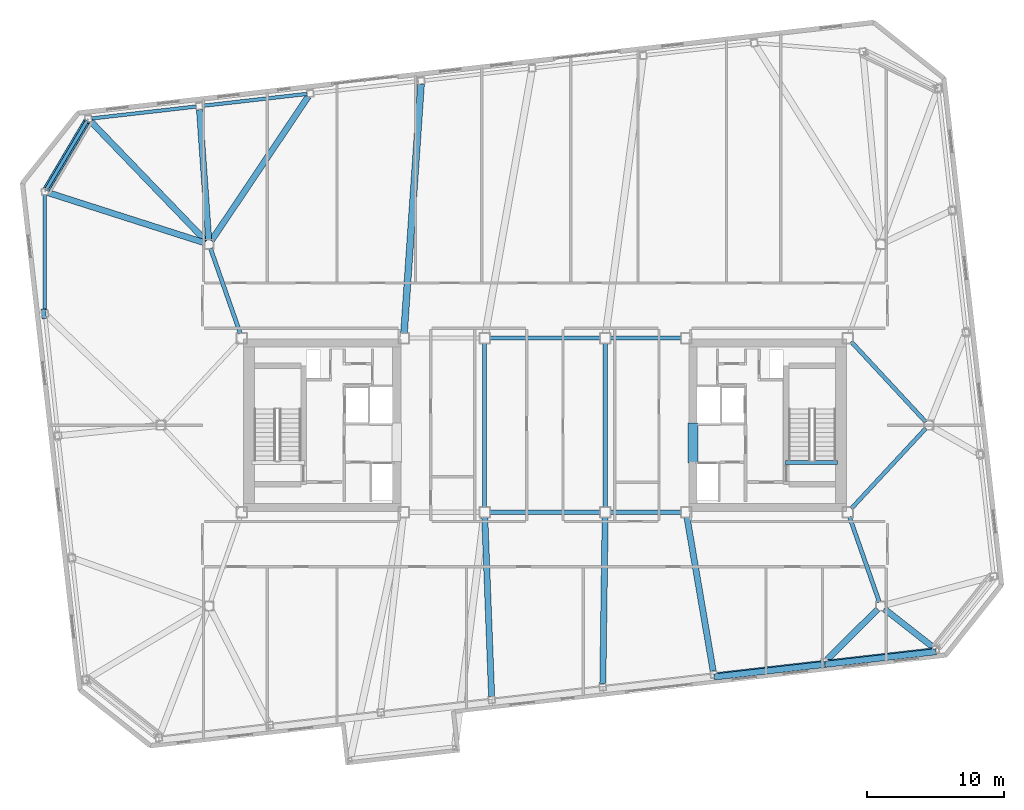
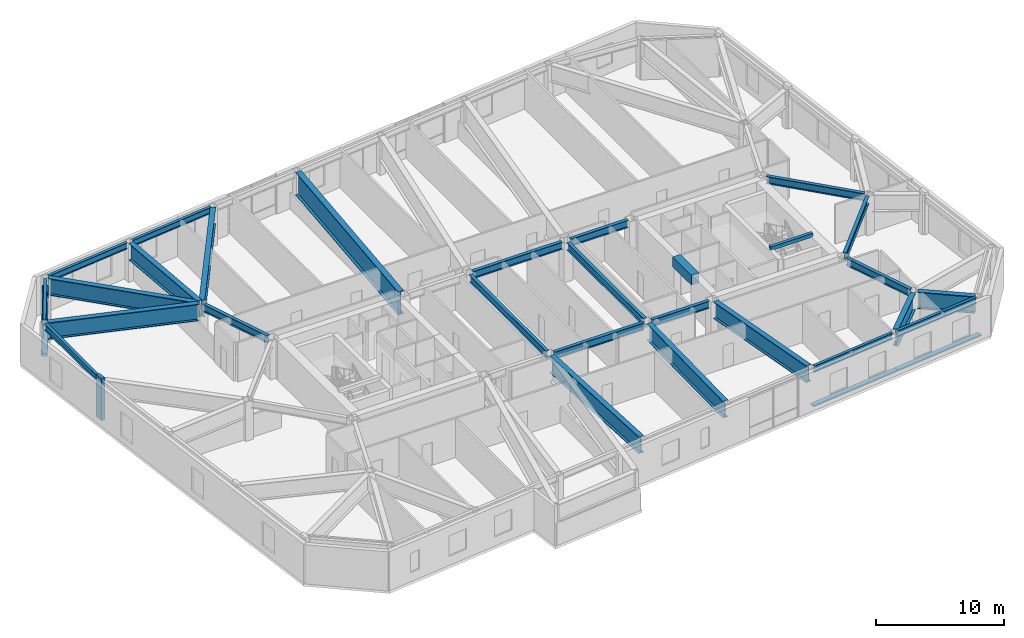
# One storey, part 6 of 18: 28 beams, 4 members.
"""IFC4 building model written with IfcOpenShell, lengths in metres."""

from ifc_helpers import new_model, si_unit, direction, frame, origin, origin_2d, place, context, subcontext, project, spatial, rectangle, hollow_circle, i_section, extrude, material, material_profile, profile_set, type_object, element, save


model = new_model("IFC4")

# Units and contexts
model_context = context("Model", 3, precision=1e-05, world=origin(), true_north=direction((0.0, 1.0)))
body_context = subcontext(model_context, "Body", "Model", "MODEL_VIEW")
ifc_project = project(units=[si_unit("LENGTHUNIT", "METRE"), si_unit("AREAUNIT", "SQUARE_METRE"), si_unit("VOLUMEUNIT", "CUBIC_METRE"), si_unit("PLANEANGLEUNIT", "RADIAN"), si_unit("MASSUNIT", "GRAM", prefix="KILO")], contexts=[model_context])

# Site, building, storey
site_placement = place(None, origin())
site = spatial("IfcSite", under=ifc_project, at=site_placement, CompositionType="ELEMENT")
building_placement = place(site_placement, origin())
building = spatial("IfcBuilding", under=site, at=building_placement, Name="Tavrogorsk Clinical Tower", CompositionType="ELEMENT")
storey_placement = place(building_placement, frame((0.0, 0.0, 222.199951171875)))
storey = spatial("IfcBuildingStorey", under=building, at=storey_placement, Name="L51", CompositionType="ELEMENT", Elevation=222.199951171875)

# Members
ifc_material_1 = material(Name="Anodised aluminium alloy AW-6063", Category="aluminium")
ifc_material_profile_1 = material_profile(ifc_material_1, rectangle(XDim=0.449951171875, YDim=0.1201171875, at=origin_2d()), Name="ALU-SUNSHADE-450x120")
ifc_profile_set_1 = profile_set([ifc_material_profile_1], Name="Anodised aluminium alloy AW-6063")
member_type_1 = type_object("IfcMemberType", Name="ChicagoSunshade_450x120", PredefinedType="USERDEFINED", material=ifc_profile_set_1)
for number, where, z_axis, x_axis, name in (
    (1, (12.336669921875, -18.369140625, 0.179931640625), (0.99356960656, 0.11322295227, 0.0), (-0.11322295227, 0.99356960656, 0.0), "L51 South Aluminium Sunshade S6"),
    (2, (20.432861328125, -17.446533203125, 0.179931640625), (0.9935729766, 0.113193375116, 0.0), (-0.113193375116, 0.9935729766, 0.0), "L51 South Aluminium Sunshade S7"),
):
    element("IfcMember", number, at=place(storey_placement, frame(where, z_axis=z_axis, x_axis=x_axis)), inside=storey, type_object=member_type_1, Name=name, ObjectType="SUNSHADE", PredefinedType="USERDEFINED", context=body_context, shape_type="SweptSolid", body=[
        extrude(rectangle(XDim=0.449951171875, YDim=0.1201171875, at=origin_2d()), origin(), (0.0, 0.0, 1.0), 8.148681640625),
    ])

# Beam
ifc_material_2 = material(Name="Concrete B80", Category="concrete")
ifc_material_profile_2 = material_profile(ifc_material_2, rectangle(XDim=0.699951171875, YDim=0.949951171875, at=origin_2d()), Name="RC-CB-700x950")
ifc_profile_set_2 = profile_set([ifc_material_profile_2], Name="Concrete B80")
beam_type_1 = type_object("IfcBeamType", Name="CouplingBeam_RC700x950", PredefinedType="LINTEL", material=ifc_profile_set_2)
beam_1_placement = place(storey_placement, frame((10.800048828125, -2.75, 3.26513671875), z_axis=(0.0, 1.0, 0.0), x_axis=(-1.0, 0.0, 0.0)))
element("IfcBeam", 3, at=beam_1_placement, inside=storey, type_object=beam_type_1, Name="L51 Core East Coupling Beam", PredefinedType="LINTEL", context=body_context, shape_type="SweptSolid", body=[
    extrude(rectangle(XDim=0.699951171875, YDim=0.949951171875, at=origin_2d()), origin(), (0.0, 0.0, 1.0), 2.89990234375),
])

# Members
ifc_material_3 = material(Name="Structural steel S440", Category="steel")
ifc_material_profile_3 = material_profile(ifc_material_3, hollow_circle(Radius=0.25390625, WallThickness=0.02001953125, at=origin_2d()), Name="CHS-508x20")
ifc_profile_set_3 = profile_set([ifc_material_profile_3], Name="Structural steel S440")
member_type_2 = type_object("IfcMemberType", Name="ExoBrace_CHS508", PredefinedType="BRACE", material=ifc_profile_set_3)
member_1_placement = place(storey_placement, frame((-36.349853515625, 17.23486328125, 0.40625), z_axis=(0.466115044739, 0.783286774864, 0.411337566228), x_axis=(-0.859354157364, 0.511380907173, 0.0)))
element("IfcMember", 4, at=member_1_placement, inside=storey, type_object=member_type_2, Name="L51 Corner Exoskeleton Brace N8-W1", PredefinedType="BRACE", context=body_context, shape_type="SweptSolid", body=[
    extrude(hollow_circle(Radius=0.25390625, WallThickness=0.02001953125, at=origin_2d()), origin(), (0.0, 0.0, 1.0), 6.266357421875),
])
ifc_material_4 = material(Name="Precast concrete B45 with limestone cladding", Category="masonry")
ifc_material_profile_4 = material_profile(ifc_material_4, rectangle(XDim=0.320068359375, YDim=0.719970703125, at=origin_2d()), Name="LIMESTONE-FIN-320x720")
ifc_profile_set_4 = profile_set([ifc_material_profile_4], Name="Precast concrete B45 with limestone cladding")
member_type_3 = type_object("IfcMemberType", Name="LimestonePleatFin_320x720", PredefinedType="USERDEFINED", material=ifc_profile_set_4)
member_2_placement = place(storey_placement, frame((-36.549560546875, 8.121337890625, 0.0), z_axis=(0.0, 0.0, 1.0), x_axis=(0.993571855677, 0.113203213768, 0.0)))
element("IfcMember", 5, at=member_2_placement, inside=storey, type_object=member_type_3, Name="L51 W Pleated Stone Fin 1", ObjectType="FIN", PredefinedType="USERDEFINED", context=body_context, shape_type="SweptSolid", body=[
    extrude(rectangle(XDim=0.320068359375, YDim=0.719970703125, at=origin_2d()), origin(), (0.0, 0.0, 1.0), 4.0),
])

# Beams
ifc_material_5 = material(Name="Structural steel S390", Category="steel")
ifc_material_profile_5 = material_profile(ifc_material_5, i_section(OverallWidth=0.300048828125, OverallDepth=0.699951171875, WebThickness=0.01708984375, FlangeThickness=0.028076171875, at=origin_2d()), Name="B-700x300x17x28")
ifc_profile_set_5 = profile_set([ifc_material_profile_5], Name="Structural steel S390")
beam_type_2 = type_object("IfcBeamType", Name="PrimaryGirder_B700", PredefinedType="USERDEFINED", material=ifc_profile_set_5)
for number, where, z_axis, x_axis, name in (
    (6, (-4.0400390625, -6.35009765625, 3.39013671875), (1.0, 0.0, 0.0), (0.0, 1.0, 0.0), "L51 Primary Spine Girder MG-03"),
    (7, (-4.0400390625, 6.35009765625, 3.39013671875), (1.0, 0.0, 0.0), (0.0, 1.0, 0.0), "L51 Primary Spine Girder MG-04"),
):
    element("IfcBeam", number, at=place(storey_placement, frame(where, z_axis=z_axis, x_axis=x_axis)), inside=storey, type_object=beam_type_2, Name=name, ObjectType="GIRDER", PredefinedType="USERDEFINED", context=body_context, shape_type="SweptSolid", body=[
        extrude(i_section(OverallWidth=0.300048828125, OverallDepth=0.699951171875, WebThickness=0.01708984375, FlangeThickness=0.028076171875, at=origin_2d()), origin(), (0.0, 0.0, 1.0), 8.080078125),
    ])
for number, where, z_axis, x_axis, name in (
    (8, (4.760009765625, -6.35009765625, 3.39013671875), (1.0, 0.0, 0.0), (0.0, 1.0, 0.0), "L51 Primary Spine Girder MG-05"),
    (9, (4.760009765625, 6.35009765625, 3.39013671875), (1.0, 0.0, 0.0), (0.0, 1.0, 0.0), "L51 Primary Spine Girder MG-06"),
):
    element("IfcBeam", number, at=place(storey_placement, frame(where, z_axis=z_axis, x_axis=x_axis)), inside=storey, type_object=beam_type_2, Name=name, ObjectType="GIRDER", PredefinedType="USERDEFINED", context=body_context, shape_type="SweptSolid", body=[
        extrude(i_section(OverallWidth=0.300048828125, OverallDepth=0.699951171875, WebThickness=0.01708984375, FlangeThickness=0.028076171875, at=origin_2d()), origin(), (0.0, 0.0, 1.0), 5.179931640625),
    ])
for number, where, z_axis, x_axis, name in (
    (10, (-4.39990234375, -5.989990234375, 3.39013671875), (0.0, 1.0, 0.0), (-1.0, 0.0, 0.0), "L51 Primary Spine Girder MG-07"),
    (11, (4.39990234375, -5.989990234375, 3.39013671875), (0.0, 1.0, 0.0), (-1.0, 0.0, 0.0), "L51 Primary Spine Girder MG-08"),
):
    element("IfcBeam", number, at=place(storey_placement, frame(where, z_axis=z_axis, x_axis=x_axis)), inside=storey, type_object=beam_type_2, Name=name, ObjectType="GIRDER", PredefinedType="USERDEFINED", context=body_context, shape_type="SweptSolid", body=[
        extrude(i_section(OverallWidth=0.300048828125, OverallDepth=0.699951171875, WebThickness=0.01708984375, FlangeThickness=0.028076171875, at=origin_2d()), origin(), (0.0, 0.0, 1.0), 11.97998046875),
    ])
for number, where, z_axis, x_axis, name in (
    (12, (24.3974609375, -12.907470703125, 3.39013671875), (-0.330654121425, 0.943752007672, 0.0), (-0.943752007672, -0.330654121425, 0.0), "L51 Spine Link Girder OPG-2"),
    (13, (-24.3974609375, 12.907470703125, 3.39013671875), (0.330654121425, -0.943752007672, 0.0), (0.943752007672, 0.330654121425, 0.0), "L51 Spine Link Girder OPG-3"),
):
    element("IfcBeam", number, at=place(storey_placement, frame(where, z_axis=z_axis, x_axis=x_axis)), inside=storey, type_object=beam_type_2, Name=name, ObjectType="GIRDER", PredefinedType="USERDEFINED", context=body_context, shape_type="SweptSolid", body=[
        extrude(i_section(OverallWidth=0.300048828125, OverallDepth=0.699951171875, WebThickness=0.01708984375, FlangeThickness=0.028076171875, at=origin_2d()), origin(), (0.0, 0.0, 1.0), 6.58837890625),
    ])
for number, where, z_axis, x_axis, name in (
    (14, (27.7890625, -0.22705078125, 3.39013671875), (-0.680684060959, -0.732577101168, 0.0), (0.732577101168, -0.680684060959, 0.0), "L51 Spine Link Girder OPG-7"),
    (15, (27.7890625, 0.22705078125, 3.39013671875), (-0.680684060959, 0.732577101168, 0.0), (-0.732577101168, -0.680684060959, 0.0), "L51 Spine Link Girder OPG-8"),
):
    element("IfcBeam", number, at=place(storey_placement, frame(where, z_axis=z_axis, x_axis=x_axis)), inside=storey, type_object=beam_type_2, Name=name, ObjectType="GIRDER", PredefinedType="USERDEFINED", context=body_context, shape_type="SweptSolid", body=[
        extrude(i_section(OverallWidth=0.300048828125, OverallDepth=0.699951171875, WebThickness=0.01708984375, FlangeThickness=0.028076171875, at=origin_2d()), origin(), (0.0, 0.0, 1.0), 7.998046875),
    ])
ifc_material_6 = material(Name="Structural steel S390", Category="steel")
ifc_material_profile_6 = material_profile(ifc_material_6, i_section(OverallWidth=0.260009765625, OverallDepth=0.60009765625, WebThickness=0.014892578125, FlangeThickness=0.02392578125, at=origin_2d()), Name="B-600x260x15x24")
ifc_profile_set_6 = profile_set([ifc_material_profile_6], Name="Structural steel S390")
beam_type_3 = type_object("IfcBeamType", Name="SpandrelBeam_B600", PredefinedType="SPANDREL", material=ifc_profile_set_6)
beam_2_placement = place(storey_placement, frame((12.57275390625, -18.1611328125, 3.43994140625), z_axis=(0.993571689921, 0.113204668576, 0.0), x_axis=(-0.113204668576, 0.993571689921, 0.0)))
element("IfcBeam", 16, at=beam_2_placement, inside=storey, type_object=beam_type_3, Name="L51 Perimeter Spandrel S6-S7", PredefinedType="SPANDREL", context=body_context, shape_type="SweptSolid", body=[
    extrude(i_section(OverallWidth=0.260009765625, OverallDepth=0.60009765625, WebThickness=0.014892578125, FlangeThickness=0.02392578125, at=origin_2d()), origin(), (0.0, 0.0, 1.0), 7.63232421875),
])
for number, where, z_axis, x_axis, name in (
    (17, (20.668701171875, -17.238525390625, 3.43994140625), (0.993572099834, 0.113201070804, 0.0), (-0.113201070804, 0.993572099834, 0.0), "L51 Perimeter Spandrel S7-S8"),
    (18, (-17.37255859375, 24.1611328125, 3.43994140625), (-0.993572099834, -0.113201070804, 0.0), (0.113201070804, -0.993572099834, 0.0), "L51 Perimeter Spandrel N6-N7"),
    (19, (-25.46875, 23.238525390625, 3.43994140625), (-0.993572099834, -0.113201070804, 0.0), (0.113201070804, -0.993572099834, 0.0), "L51 Perimeter Spandrel N7-N8"),
):
    element("IfcBeam", number, at=place(storey_placement, frame(where, z_axis=z_axis, x_axis=x_axis)), inside=storey, type_object=beam_type_3, Name=name, PredefinedType="SPANDREL", context=body_context, shape_type="SweptSolid", body=[
        extrude(i_section(OverallWidth=0.260009765625, OverallDepth=0.60009765625, WebThickness=0.014892578125, FlangeThickness=0.02392578125, at=origin_2d()), origin(), (0.0, 0.0, 1.0), 7.632568359375),
    ])
beam_3_placement = place(storey_placement, frame((-33.4404296875, 22.123779296875, 3.43994140625), z_axis=(-0.51140659222, -0.859338872293, 0.0), x_axis=(0.859338872293, -0.51140659222, 0.0)))
element("IfcBeam", 20, at=beam_3_placement, inside=storey, type_object=beam_type_3, Name="L51 Perimeter Spandrel N8-W1", PredefinedType="SPANDREL", context=body_context, shape_type="SweptSolid", body=[
    extrude(i_section(OverallWidth=0.260009765625, OverallDepth=0.60009765625, WebThickness=0.014892578125, FlangeThickness=0.02392578125, at=origin_2d()), origin(), (0.0, 0.0, 1.0), 5.666259765625),
])
beam_4_placement = place(storey_placement, frame((-36.469970703125, 16.77490234375, 3.43994140625), z_axis=(0.0, -1.0, 0.0), x_axis=(1.0, 0.0, 0.0)))
element("IfcBeam", 21, at=beam_4_placement, inside=storey, type_object=beam_type_3, Name="L51 Perimeter Spandrel W1-W2", PredefinedType="SPANDREL", context=body_context, shape_type="SweptSolid", body=[
    extrude(i_section(OverallWidth=0.260009765625, OverallDepth=0.60009765625, WebThickness=0.014892578125, FlangeThickness=0.02392578125, at=origin_2d()), origin(), (0.0, 0.0, 1.0), 8.386474609375),
])
ifc_material_7 = material(Name="Concrete B60", Category="concrete")
ifc_material_profile_7 = material_profile(ifc_material_7, rectangle(XDim=0.300048828125, YDim=0.35009765625, at=origin_2d()), Name="RC-SHB-300x350")
ifc_profile_set_7 = profile_set([ifc_material_profile_7], Name="Concrete B60")
beam_type_4 = type_object("IfcBeamType", Name="StairHeaderBeam_RC300x350", PredefinedType="BEAM", material=ifc_profile_set_7)
beam_5_placement = place(storey_placement, frame((17.550048828125, -2.719970703125, 3.824951171875), z_axis=(1.0, 0.0, 0.0), x_axis=(0.0, 1.0, 0.0)))
element("IfcBeam", 22, at=beam_5_placement, inside=storey, type_object=beam_type_4, Name="L52 ST-E Landing Header Beam", PredefinedType="BEAM", context=body_context, shape_type="SweptSolid", body=[
    extrude(rectangle(XDim=0.300048828125, YDim=0.35009765625, at=origin_2d()), origin(), (0.0, 0.0, 1.0), 3.800048828125),
])
ifc_material_8 = material(Name="Structural steel S440", Category="steel")
ifc_material_profile_8 = material_profile(ifc_material_8, i_section(OverallWidth=0.449951171875, OverallDepth=1.60009765625, WebThickness=0.031982421875, FlangeThickness=0.050048828125, at=origin_2d()), Name="DK-1600x450x32x50")
ifc_profile_set_8 = profile_set([ifc_material_profile_8], Name="Structural steel S440")
beam_type_5 = type_object("IfcBeamType", Name="TransferGirder_DK1600", PredefinedType="USERDEFINED", material=ifc_profile_set_8)
beam_6_placement = place(storey_placement, frame((-4.38623046875, -6.709716796875, 2.93994140625), z_axis=(0.038253158264, -0.999268080088, 0.0), x_axis=(0.999268080088, 0.038253158264, 0.0)))
element("IfcBeam", 23, at=beam_6_placement, inside=storey, type_object=beam_type_5, Name="L51 Radial Floor Beam S4", ObjectType="GIRDER", PredefinedType="USERDEFINED", context=body_context, shape_type="SweptSolid", body=[
    extrude(i_section(OverallWidth=0.449951171875, OverallDepth=1.60009765625, WebThickness=0.031982421875, FlangeThickness=0.050048828125, at=origin_2d()), origin(), (0.0, 0.0, 1.0), 13.0771484375),
])
beam_7_placement = place(storey_placement, frame((4.39501953125, -6.7099609375, 2.93994140625), z_axis=(-0.014110566079, -0.999900441006, 0.0), x_axis=(0.999900441006, -0.014110566079, 0.0)))
element("IfcBeam", 24, at=beam_7_placement, inside=storey, type_object=beam_type_5, Name="L51 Radial Floor Beam S5", ObjectType="GIRDER", PredefinedType="USERDEFINED", context=body_context, shape_type="SweptSolid", body=[
    extrude(i_section(OverallWidth=0.449951171875, OverallDepth=1.60009765625, WebThickness=0.031982421875, FlangeThickness=0.050048828125, at=origin_2d()), origin(), (0.0, 0.0, 1.0), 12.14599609375),
])
beam_8_placement = place(storey_placement, frame((10.3603515625, -6.704833984375, 2.93994140625), z_axis=(0.167876447446, -0.98580804338, 0.0), x_axis=(0.98580804338, 0.167876447446, 0.0)))
element("IfcBeam", 25, at=beam_8_placement, inside=storey, type_object=beam_type_5, Name="L51 Radial Floor Beam S6", ObjectType="GIRDER", PredefinedType="USERDEFINED", context=body_context, shape_type="SweptSolid", body=[
    extrude(i_section(OverallWidth=0.449951171875, OverallDepth=1.60009765625, WebThickness=0.031982421875, FlangeThickness=0.050048828125, at=origin_2d()), origin(), (0.0, 0.0, 1.0), 11.392822265625),
])
beam_9_placement = place(storey_placement, frame((24.2802734375, -13.418701171875, 2.93994140625), z_axis=(-0.708842234901, -0.705367057652, 0.0), x_axis=(0.705367057652, -0.708842234901, 0.0)))
element("IfcBeam", 26, at=beam_9_placement, inside=storey, type_object=beam_type_5, Name="L51 Radial Floor Beam S7", ObjectType="GIRDER", PredefinedType="USERDEFINED", context=body_context, shape_type="SweptSolid", body=[
    extrude(i_section(OverallWidth=0.449951171875, OverallDepth=1.60009765625, WebThickness=0.031982421875, FlangeThickness=0.050048828125, at=origin_2d()), origin(), (0.0, 0.0, 1.0), 5.19873046875),
])
beam_10_placement = place(storey_placement, frame((24.743896484375, -13.391357421875, 2.93994140625), z_axis=(0.786731711527, -0.617295078611, 0.0), x_axis=(0.617295078611, 0.786731711527, 0.0)))
element("IfcBeam", 27, at=beam_10_placement, inside=storey, type_object=beam_type_5, Name="L51 Radial Floor Beam S8", ObjectType="GIRDER", PredefinedType="USERDEFINED", context=body_context, shape_type="SweptSolid", body=[
    extrude(i_section(OverallWidth=0.449951171875, OverallDepth=1.60009765625, WebThickness=0.031982421875, FlangeThickness=0.050048828125, at=origin_2d()), origin(), (0.0, 0.0, 1.0), 4.52734375),
])
beam_11_placement = place(storey_placement, frame((-24.3271484375, 13.457275390625, 2.93994140625), z_axis=(0.557666552953, 0.830065067159, 0.0), x_axis=(-0.830065067159, 0.557666552953, 0.0)))
element("IfcBeam", 28, at=beam_11_placement, inside=storey, type_object=beam_type_5, Name="L51 Radial Floor Beam N6", ObjectType="GIRDER", PredefinedType="USERDEFINED", context=body_context, shape_type="SweptSolid", body=[
    extrude(i_section(OverallWidth=0.449951171875, OverallDepth=1.60009765625, WebThickness=0.031982421875, FlangeThickness=0.050048828125, at=origin_2d()), origin(), (0.0, 0.0, 1.0), 12.67236328125),
])
beam_12_placement = place(storey_placement, frame((-24.52197265625, 13.50927734375, 2.93994140625), z_axis=(-0.070563956086, 0.997507257167, 0.0), x_axis=(-0.997507257167, -0.070563956086, 0.0)))
element("IfcBeam", 29, at=beam_12_placement, inside=storey, type_object=beam_type_5, Name="L51 Radial Floor Beam N7", ObjectType="GIRDER", PredefinedType="USERDEFINED", context=body_context, shape_type="SweptSolid", body=[
    extrude(i_section(OverallWidth=0.449951171875, OverallDepth=1.60009765625, WebThickness=0.031982421875, FlangeThickness=0.050048828125, at=origin_2d()), origin(), (0.0, 0.0, 1.0), 9.52490234375),
])
beam_13_placement = place(storey_placement, frame((-24.715087890625, 13.42333984375, 2.93994140625), z_axis=(-0.69371826835, 0.720246460704, 0.0), x_axis=(-0.720246460704, -0.69371826835, 0.0)))
element("IfcBeam", 30, at=beam_13_placement, inside=storey, type_object=beam_type_5, Name="L51 Radial Floor Beam N8", ObjectType="GIRDER", PredefinedType="USERDEFINED", context=body_context, shape_type="SweptSolid", body=[
    extrude(i_section(OverallWidth=0.449951171875, OverallDepth=1.60009765625, WebThickness=0.031982421875, FlangeThickness=0.050048828125, at=origin_2d()), origin(), (0.0, 0.0, 1.0), 12.129638671875),
])
beam_14_placement = place(storey_placement, frame((-24.795166015625, 13.29443359375, 2.93994140625), z_axis=(-0.952367912824, 0.304951403709, 0.0), x_axis=(-0.304951403709, -0.952367912824, 0.0)))
element("IfcBeam", 31, at=beam_14_placement, inside=storey, type_object=beam_type_5, Name="L51 Radial Floor Beam W1", ObjectType="GIRDER", PredefinedType="USERDEFINED", context=body_context, shape_type="SweptSolid", body=[
    extrude(i_section(OverallWidth=0.449951171875, OverallDepth=1.60009765625, WebThickness=0.031982421875, FlangeThickness=0.050048828125, at=origin_2d()), origin(), (0.0, 0.0, 1.0), 12.000732421875),
])
ifc_material_9 = material(Name="Structural steel S440", Category="steel")
ifc_material_profile_9 = material_profile(ifc_material_9, i_section(OverallWidth=0.5, OverallDepth=2.199951171875, WebThickness=0.035888671875, FlangeThickness=0.054931640625, at=origin_2d()), Name="DK-2200x500x36x55")
ifc_profile_set_9 = profile_set([ifc_material_profile_9], Name="Structural steel S440")
beam_type_6 = type_object("IfcBeamType", Name="TransferGirder_DK2200", PredefinedType="USERDEFINED", material=ifc_profile_set_9)
beam_15_placement = place(storey_placement, frame((-10.275390625, 6.709228515625, 2.64013671875), z_axis=(0.068054861188, 0.9976815804, 0.0), x_axis=(-0.9976815804, 0.068054861188, 0.0)))
element("IfcBeam", 32, at=beam_15_placement, inside=storey, type_object=beam_type_6, Name="L51 Radial Floor Beam N5", ObjectType="GIRDER", PredefinedType="USERDEFINED", context=body_context, shape_type="SweptSolid", body=[
    extrude(i_section(OverallWidth=0.5, OverallDepth=2.199951171875, WebThickness=0.035888671875, FlangeThickness=0.054931640625, at=origin_2d()), origin(), (0.0, 0.0, 1.0), 18.188232421875),
])

save(model, "model.ifc")
